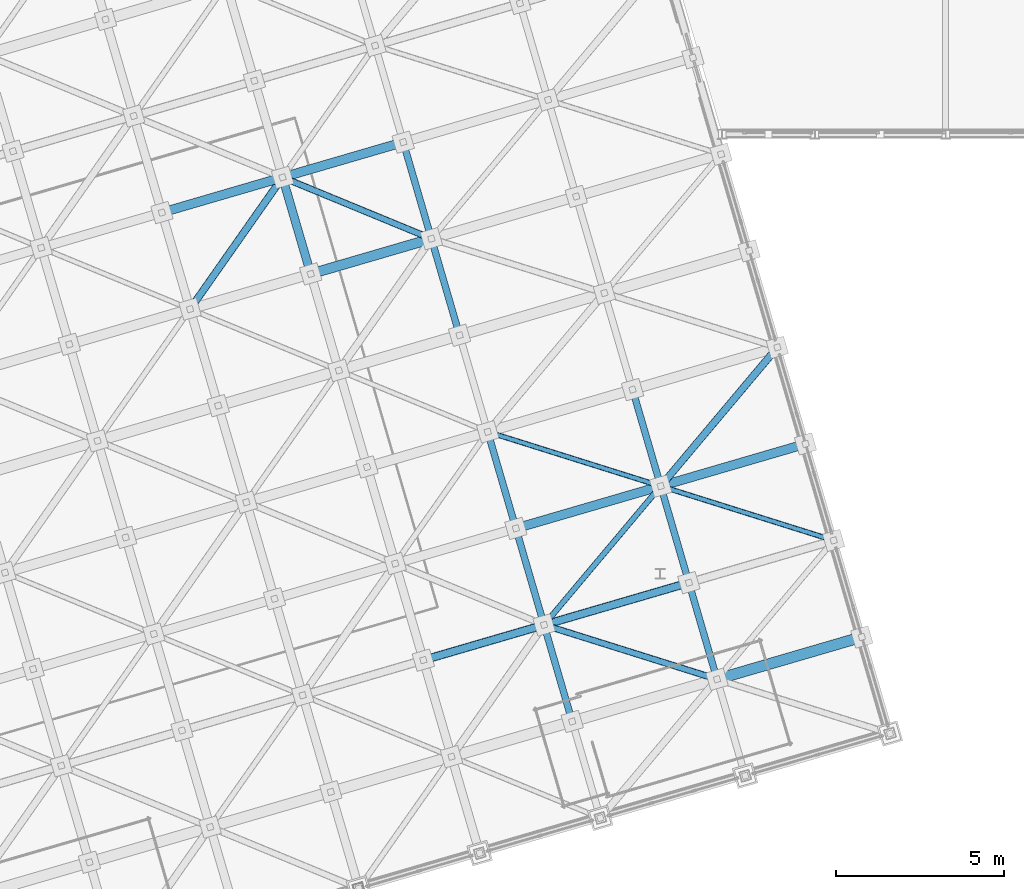
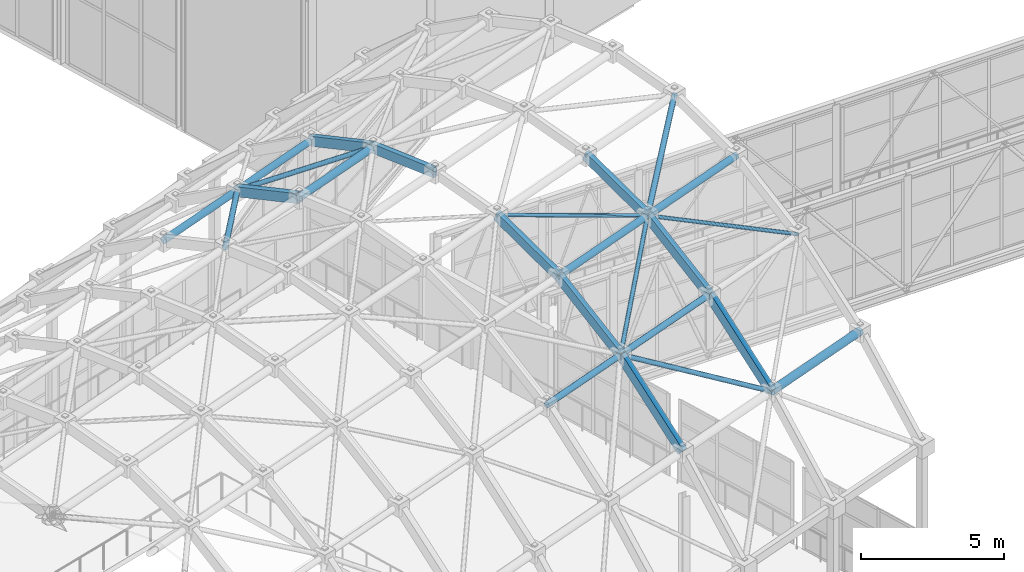
# One storey, part 73 of 248: 15 members, 9 beams.
"""IFC4 building model written with IfcOpenShell, lengths in metres."""

import ifcopenshell
import ifcopenshell.guid

model = None  # the IFC model being written
_history = None  # IfcOwnerHistory: only IFC2X3 demands one
_inside = {}  # id of a spatial element -> (the spatial element, [elements in it])
_under = {}  # id of a project, library or spatial element -> (it, [spatial elements below it])
_declared = {}  # id of a project -> (the project, [libraries it declares])
_typed = {}  # id of a type object -> (the type object, [elements of that type])
_made_of = {}  # id of a material, layer set ... -> (it, [elements and type objects made of it])


def new_model(schema):
    """Start an empty IFC model of exactly this schema.

    Asked for "IFC4X3", IfcOpenShell would pick the latest addendum, in which some entities
    have other attributes; the version numbers below select the first issue.
    IFC2X3 requires an IfcOwnerHistory on every rooted entity: one is made here for all.
    """
    global model, _history
    if schema == "IFC4X3":
        model = ifcopenshell.file(schema_version=(4, 3, 0, 0))
    else:
        model = ifcopenshell.file(schema=schema)
    _inside.clear()
    _under.clear()
    _declared.clear()
    _typed.clear()
    _made_of.clear()
    _history = None
    if model.schema == "IFC2X3":
        org = make("IfcOrganization", Name="unknown")
        user = make(
            "IfcPersonAndOrganization",
            ThePerson=make("IfcPerson", FamilyName="unknown"),
            TheOrganization=org,
        )
        app = make(
            "IfcApplication",
            ApplicationDeveloper=org,
            Version="unknown",
            ApplicationFullName="unknown",
            ApplicationIdentifier="unknown",
        )
        _history = make(
            "IfcOwnerHistory",
            OwningUser=user,
            OwningApplication=app,
            ChangeAction="ADDED",
            CreationDate=0,
        )
    return model


def make(cls, **values):
    """One entity of the class cls with the attributes given. An attribute that is None is left unset."""
    return model.create_entity(
        cls, **{name: value for name, value in values.items() if value is not None}
    )


def rooted(cls, **values):
    """An entity with a GlobalId (a new one), such as an element, a storey or a relation."""
    return make(cls, GlobalId=ifcopenshell.guid.new(), OwnerHistory=_history, **values)


def si_unit(unit_type, name, prefix=None):
    """IfcSIUnit, for example si_unit("LENGTHUNIT", "METRE", prefix="MILLI")."""
    return make("IfcSIUnit", UnitType=unit_type, Prefix=prefix, Name=name)


def assignment(units):
    """IfcUnitAssignment: the units of a project."""
    return None if units is None else make("IfcUnitAssignment", Units=units)


def point(xyz):
    """IfcCartesianPoint."""
    return None if xyz is None else make("IfcCartesianPoint", Coordinates=xyz)


def direction(xyz):
    """IfcDirection."""
    return None if xyz is None else make("IfcDirection", DirectionRatios=xyz)


def frame(location, z_axis=None, x_axis=None):
    """IfcAxis2Placement3D, a coordinate frame: its origin and axes. An axis left out is left unset."""
    return make(
        "IfcAxis2Placement3D",
        Location=point(location),
        Axis=direction(z_axis),
        RefDirection=direction(x_axis),
    )


def frame_2d(location, x_axis=None):
    """IfcAxis2Placement2D, a coordinate frame in the plane: its origin and x axis."""
    return make(
        "IfcAxis2Placement2D", Location=point(location), RefDirection=direction(x_axis)
    )


def origin():
    """The frame at (0, 0, 0) with its axes left unset."""
    return frame((0.0, 0.0, 0.0))


def origin_2d():
    """The frame at (0, 0) in the plane with its x axis left unset."""
    return frame_2d((0.0, 0.0))


def place(relative_to, where):
    """IfcLocalPlacement: puts the frame where relative to a parent placement (None: the world)."""
    return make(
        "IfcLocalPlacement", PlacementRelTo=relative_to, RelativePlacement=where
    )


def context(
    kind, dimensions, precision=None, world=None, true_north=None, identifier=None
):
    """IfcGeometricRepresentationContext, for example the 3D "Model" context."""
    return make(
        "IfcGeometricRepresentationContext",
        ContextIdentifier=identifier,
        ContextType=kind,
        CoordinateSpaceDimension=dimensions,
        Precision=precision,
        WorldCoordinateSystem=world,
        TrueNorth=true_north,
    )


def subcontext(parent, identifier, kind, view, scale=None):
    """IfcGeometricRepresentationSubContext, for example "Body" below "Model"."""
    return make(
        "IfcGeometricRepresentationSubContext",
        ContextIdentifier=identifier,
        ContextType=kind,
        ParentContext=parent,
        TargetScale=scale,
        TargetView=view,
    )


def project(units=None, contexts=None):
    """IfcProject with its units and contexts."""
    return rooted(
        "IfcProject",
        Name="project",
        RepresentationContexts=contexts,
        UnitsInContext=assignment(units),
    )


def spatial(cls, under=None, at=None, **own):
    """A site, building, storey or space (cls), placed at a placement, below another one or the project."""
    s = rooted(cls, ObjectPlacement=at, **own)
    if under is not None:
        _under.setdefault(under.id(), (under, []))[1].append(s)
    return s


def profile(cls, at=None, kind="AREA", **sizes):
    """A parametric profile (cls). Its sizes go by their IFC names, for example OverallWidth=200.0."""
    return make(cls, ProfileType=kind, Position=at, **sizes)


def hollow_rectangle(**sizes):
    """IfcRectangleHollowProfileDef."""
    return profile("IfcRectangleHollowProfileDef", **sizes)


def hollow_circle(**sizes):
    """IfcCircleHollowProfileDef."""
    return profile("IfcCircleHollowProfileDef", **sizes)


def extrude(swept, where, along, depth):
    """IfcExtrudedAreaSolid: the profile swept, set in the frame where, extruded along a direction by depth."""
    return make(
        "IfcExtrudedAreaSolid",
        SweptArea=swept,
        Position=where,
        ExtrudedDirection=direction(along),
        Depth=depth,
    )


def shape(context_of_items, identifier, shape_type, items):
    """IfcShapeRepresentation: the items that make up one representation, for example the "Body"."""
    return make(
        "IfcShapeRepresentation",
        ContextOfItems=context_of_items,
        RepresentationIdentifier=identifier,
        RepresentationType=shape_type,
        Items=items,
    )


def material(Name=None, Category=None):
    """IfcMaterial."""
    return make("IfcMaterial", Name=Name, Category=Category)


def material_profile(
    of_material, cross_section, Name=None, Category=None, Priority=None
):
    """IfcMaterialProfile: a cross section and its material."""
    return make(
        "IfcMaterialProfile",
        Name=Name,
        Material=of_material,
        Profile=cross_section,
        Priority=Priority,
        Category=Category,
    )


def profile_set(profiles, Name=None, composite=None):
    """IfcMaterialProfileSet."""
    return make(
        "IfcMaterialProfileSet",
        Name=Name,
        MaterialProfiles=profiles,
        CompositeProfile=composite,
    )


def made_of(thing, what):
    """Note that an element or type object is made of a material, layer set ...; save() writes the relation."""
    if what is not None:
        _made_of.setdefault(what.id(), (what, []))[1].append(thing)
    return thing


def type_object(cls, material=None, **own):
    """A type object (cls), such as IfcWallType, which elements share."""
    return made_of(rooted(cls, **own), material)


def element(
    cls,
    number,
    at=None,
    inside=None,
    cuts=None,
    type_object=None,
    material=None,
    context=None,
    identifier="Body",
    shape_type=None,
    held_by="IfcProductDefinitionShape",
    body=None,
    shapes=None,
    **own,
):
    """One element of the class cls, such as IfcWall. Its Tag is "e" and its number.

    at: its placement. inside: the storey or other place that contains it. cuts: it is an
    opening in that element (IfcRelVoidsElement). A single representation is given by context,
    identifier, shape_type and body (its items); several are given by shapes. held_by: the class
    of the entity that holds the representations. save() writes the other relations.
    """
    e = rooted(cls, Tag="e%d" % number, ObjectPlacement=at, **own)
    if body is not None:
        shapes = [shape(context, identifier, shape_type, body)]
    if shapes is not None:
        e.Representation = make(held_by, Representations=shapes)
    if inside is not None:
        _inside.setdefault(inside.id(), (inside, []))[1].append(e)
    if cuts is not None:
        rooted(
            "IfcRelVoidsElement", RelatingBuildingElement=cuts, RelatedOpeningElement=e
        )
    if type_object is not None:
        _typed.setdefault(type_object.id(), (type_object, []))[1].append(e)
    return made_of(e, material)


def aggregate(whole, parts):
    """IfcRelAggregates: a whole, such as a stair, and the parts it consists of."""
    return rooted("IfcRelAggregates", RelatingObject=whole, RelatedObjects=parts)


def save(model, path):
    """Write the relations noted so far, then the file.

    IfcRelAggregates (storeys below a building ...), IfcRelContainedInSpatialStructure (elements
    in a storey), IfcRelDefinesByType, IfcRelAssociatesMaterial and IfcRelDeclares: one each for
    every whole, place, type object, material and project.
    """
    for whole, parts in _under.values():
        aggregate(whole, parts)
    for where, things in _inside.values():
        rooted(
            "IfcRelContainedInSpatialStructure",
            RelatedElements=things,
            RelatingStructure=where,
        )
    for kind, things in _typed.values():
        rooted("IfcRelDefinesByType", RelatedObjects=things, RelatingType=kind)
    for what, things in _made_of.values():
        rooted("IfcRelAssociatesMaterial", RelatedObjects=things, RelatingMaterial=what)
    for by, libraries in _declared.values():
        rooted("IfcRelDeclares", RelatingContext=by, RelatedDefinitions=libraries)
    model.write(path)


model = new_model("IFC4")

# Units and contexts
model_context = context("Model", 3, precision=1e-05, world=origin(), true_north=direction((0.0, 1.0)))
body_context = subcontext(model_context, "Body", "Model", "MODEL_VIEW")
ifc_project = project(units=[si_unit("LENGTHUNIT", "METRE"), si_unit("AREAUNIT", "SQUARE_METRE"), si_unit("VOLUMEUNIT", "CUBIC_METRE"), si_unit("PLANEANGLEUNIT", "RADIAN"), si_unit("MASSUNIT", "GRAM", prefix="KILO")], contexts=[model_context])

# Site, building, storey
site_placement = place(None, origin())
site = spatial("IfcSite", under=ifc_project, at=site_placement, CompositionType="ELEMENT")
building_placement = place(site_placement, origin())
building = spatial("IfcBuilding", under=site, at=building_placement, Name="Canggui Botanical Conservatory", CompositionType="ELEMENT")
storey_placement = place(building_placement, frame((0.0, 0.0, 5.39990234375)))
storey = spatial("IfcBuildingStorey", under=building, at=storey_placement, Name="L02", CompositionType="ELEMENT", Elevation=5.39990234375)

# Beams
ifc_material = material(Name="Steel Q355C", Category="steel")
ifc_material_profile_1 = material_profile(ifc_material, hollow_rectangle(XDim=0.25, YDim=0.39990234375, WallThickness=0.013916015625, at=origin_2d()), Name="RHS 250x400x14")
ifc_profile_set_1 = profile_set([ifc_material_profile_1], Name="Steel Q355C")
beam_type_1 = type_object("IfcBeamType", Name="BM-GJ03", PredefinedType="BEAM", material=ifc_profile_set_1)
beam_1_placement = place(storey_placement, frame((54.56005859375, 70.830078125, 15.566162109375), z_axis=(-0.261421746348, 0.896172891578, -0.358514740196), x_axis=(-0.959989061447, -0.280037500885, 0.0)))
element("IfcBeam", 1, at=beam_1_placement, inside=storey, type_object=beam_type_1, Name="Conservatory Stepped-Arch Rib GJ-12 Segment 7", PredefinedType="BEAM", context=body_context, shape_type="SweptSolid", body=[
    extrude(hollow_rectangle(XDim=0.25, YDim=0.39990234375, WallThickness=0.013916015625, at=origin_2d()), origin(), (0.0, 0.0, 1.0), 3.213623046875),
])
ifc_material_profile_2 = material_profile(ifc_material, hollow_rectangle(XDim=0.199951171875, YDim=0.39990234375, WallThickness=0.011962890625, at=origin_2d()), Name="RHS 200x400x12")
ifc_profile_set_2 = profile_set([ifc_material_profile_2], Name="Steel Q355C")
beam_type_2 = type_object("IfcBeamType", Name="BM-GJ04", PredefinedType="BEAM", material=ifc_profile_set_2)
beam_2_placement = place(storey_placement, frame((62.360107421875, 57.47998046875, 10.05615234375), z_axis=(-0.208553195479, 0.714996235706, 0.66729749556), x_axis=(-0.959995442804, -0.2800156242, 0.0)))
element("IfcBeam", 2, at=beam_2_placement, inside=storey, type_object=beam_type_2, Name="Conservatory Stepped-Arch Rib GJ-13 Segment 2", PredefinedType="BEAM", context=body_context, shape_type="SweptSolid", body=[
    extrude(hollow_rectangle(XDim=0.199951171875, YDim=0.39990234375, WallThickness=0.011962890625, at=origin_2d()), origin(), (0.0, 0.0, 1.0), 4.028076171875),
])
beam_3_placement = place(storey_placement, frame((61.52001953125, 60.360107421875, 12.744140625), z_axis=(-0.235868359053, 0.808574008543, 0.539049339028), x_axis=(-0.959989061447, -0.280037500885, 0.0)))
element("IfcBeam", 3, at=beam_3_placement, inside=storey, type_object=beam_type_2, Name="Conservatory Stepped-Arch Rib GJ-13 Segment 3", PredefinedType="BEAM", context=body_context, shape_type="SweptSolid", body=[
    extrude(hollow_rectangle(XDim=0.199951171875, YDim=0.39990234375, WallThickness=0.011962890625, at=origin_2d()), origin(), (0.0, 0.0, 1.0), 3.561767578125),
])
beam_4_placement = place(storey_placement, frame((60.679931640625, 63.239990234375, 14.6640625), z_axis=(-0.261333170082, 0.896205641703, 0.35849745047), x_axis=(-0.960017315421, -0.279940626011, 0.0)))
element("IfcBeam", 4, at=beam_4_placement, inside=storey, type_object=beam_type_2, Name="Conservatory Stepped-Arch Rib GJ-13 Segment 4", PredefinedType="BEAM", context=body_context, shape_type="SweptSolid", body=[
    extrude(hollow_rectangle(XDim=0.199951171875, YDim=0.39990234375, WallThickness=0.011962890625, at=origin_2d()), origin(), (0.0, 0.0, 1.0), 3.213623046875),
])
beam_5_placement = place(storey_placement, frame((59.0, 69.0, 16.2001953125), z_axis=(-0.277770725345, 0.952218388891, -0.12697859662), x_axis=(-0.959989061447, -0.280037500885, 0.0)))
element("IfcBeam", 5, at=beam_5_placement, inside=storey, type_object=beam_type_2, Name="Conservatory Stepped-Arch Rib GJ-13 Segment 6", PredefinedType="BEAM", context=body_context, shape_type="SweptSolid", body=[
    extrude(hollow_rectangle(XDim=0.199951171875, YDim=0.39990234375, WallThickness=0.011962890625, at=origin_2d()), origin(), (0.0, 0.0, 1.0), 3.0244140625),
])
beam_6_placement = place(storey_placement, frame((58.159912109375, 71.8798828125, 15.816162109375), z_axis=(-0.261333170082, 0.896205641703, -0.35849745047), x_axis=(-0.960017315421, -0.279940626011, 0.0)))
element("IfcBeam", 6, at=beam_6_placement, inside=storey, type_object=beam_type_2, Name="Conservatory Stepped-Arch Rib GJ-13 Segment 7", PredefinedType="BEAM", context=body_context, shape_type="SweptSolid", body=[
    extrude(hollow_rectangle(XDim=0.199951171875, YDim=0.39990234375, WallThickness=0.011962890625, at=origin_2d()), origin(), (0.0, 0.0, 1.0), 3.213623046875),
])
beam_7_placement = place(storey_placement, frame((66.679931640625, 58.739990234375, 10.356201171875), z_axis=(-0.208495222194, 0.715005272157, 0.667305929173), x_axis=(-0.960017315421, -0.279940626011, 0.0)))
element("IfcBeam", 7, at=beam_7_placement, inside=storey, type_object=beam_type_2, Name="Conservatory Stepped-Arch Rib GJ-14 Segment 2", PredefinedType="BEAM", context=body_context, shape_type="SweptSolid", body=[
    extrude(hollow_rectangle(XDim=0.199951171875, YDim=0.39990234375, WallThickness=0.011962890625, at=origin_2d()), origin(), (0.0, 0.0, 1.0), 4.028076171875),
])
beam_8_placement = place(storey_placement, frame((65.840087890625, 61.6201171875, 13.044189453125), z_axis=(-0.235868359053, 0.808574008543, 0.539049339028), x_axis=(-0.959989061447, -0.280037500885, 0.0)))
element("IfcBeam", 8, at=beam_8_placement, inside=storey, type_object=beam_type_2, Name="Conservatory Stepped-Arch Rib GJ-14 Segment 3", PredefinedType="BEAM", context=body_context, shape_type="SweptSolid", body=[
    extrude(hollow_rectangle(XDim=0.199951171875, YDim=0.39990234375, WallThickness=0.011962890625, at=origin_2d()), origin(), (0.0, 0.0, 1.0), 3.561767578125),
])
beam_9_placement = place(storey_placement, frame((65.0, 64.5, 14.964111328125), z_axis=(-0.261421746348, 0.896172891578, 0.358514740196), x_axis=(-0.959989061447, -0.280037500885, 0.0)))
element("IfcBeam", 9, at=beam_9_placement, inside=storey, type_object=beam_type_2, Name="Conservatory Stepped-Arch Rib GJ-14 Segment 4", PredefinedType="BEAM", context=body_context, shape_type="SweptSolid", body=[
    extrude(hollow_rectangle(XDim=0.199951171875, YDim=0.39990234375, WallThickness=0.011962890625, at=origin_2d()), origin(), (0.0, 0.0, 1.0), 3.213623046875),
])

# Members
ifc_material_profile_3 = material_profile(ifc_material, hollow_circle(Radius=0.16259765625, WallThickness=0.011962890625, at=origin_2d()), Name="CHS 325x12")
ifc_profile_set_3 = profile_set([ifc_material_profile_3], Name="Steel Q355C")
member_type_1 = type_object("IfcMemberType", Name="MEM-GSC01", PredefinedType="CHORD", material=ifc_profile_set_3)
member_1_placement = place(storey_placement, frame((66.679931640625, 58.739990234375, 10.356201171875), z_axis=(0.957877180601, 0.279378588815, 0.066474889956), x_axis=(-0.279997916698, 0.960000607627, 0.0)))
element("IfcMember", 10, at=member_1_placement, inside=storey, type_object=member_type_1, Name="Conservatory Gridshell Longitudinal Chord 14-1", PredefinedType="CHORD", context=body_context, shape_type="SweptSolid", body=[
    extrude(hollow_circle(Radius=0.16259765625, WallThickness=0.011962890625, at=origin_2d()), origin(), (0.0, 0.0, 1.0), 4.510009765625),
])
ifc_material_profile_4 = material_profile(ifc_material, hollow_circle(Radius=0.1494140625, WallThickness=0.011962890625, at=origin_2d()), Name="CHS 299x12")
ifc_profile_set_4 = profile_set([ifc_material_profile_4], Name="Steel Q355C")
member_type_2 = type_object("IfcMemberType", Name="MEM-GSC02", PredefinedType="CHORD", material=ifc_profile_set_4)
member_2_placement = place(storey_placement, frame((54.56005859375, 70.830078125, 15.566162109375), z_axis=(0.95788444389, 0.279342360714, 0.066522459854), x_axis=(-0.279962497833, 0.960010937337, 0.0)))
element("IfcMember", 11, at=member_2_placement, inside=storey, type_object=member_type_2, Name="Conservatory Gridshell Longitudinal Chord 12-6", PredefinedType="CHORD", context=body_context, shape_type="SweptSolid", body=[
    extrude(hollow_circle(Radius=0.1494140625, WallThickness=0.011962890625, at=origin_2d()), origin(), (0.0, 0.0, 1.0), 3.758056640625),
])
ifc_material_profile_5 = material_profile(ifc_material, hollow_circle(Radius=0.136474609375, WallThickness=0.010009765625, at=origin_2d()), Name="CHS 273x10")
ifc_profile_set_5 = profile_set([ifc_material_profile_5], Name="Steel Q355C")
member_type_3 = type_object("IfcMemberType", Name="MEM-GSC03", PredefinedType="CHORD", material=ifc_profile_set_5)
member_3_placement = place(storey_placement, frame((50.1201171875, 72.659912109375, 14.1640625), z_axis=(0.957867059601, 0.279402253194, 0.066521252562), x_axis=(-0.280022500685, 0.959993437014, 0.0)))
element("IfcMember", 12, at=member_3_placement, inside=storey, type_object=member_type_3, Name="Conservatory Gridshell Longitudinal Chord 11-7", PredefinedType="CHORD", context=body_context, shape_type="SweptSolid", body=[
    extrude(hollow_circle(Radius=0.136474609375, WallThickness=0.010009765625, at=origin_2d()), origin(), (0.0, 0.0, 1.0), 3.75830078125),
])
member_4_placement = place(storey_placement, frame((53.719970703125, 73.7099609375, 14.4140625), z_axis=(0.957872417874, 0.27938486839, 0.066517113516), x_axis=(-0.280004999853, 0.959998541695, 0.0)))
element("IfcMember", 13, at=member_4_placement, inside=storey, type_object=member_type_3, Name="Conservatory Gridshell Longitudinal Chord 12-7", PredefinedType="CHORD", context=body_context, shape_type="SweptSolid", body=[
    extrude(hollow_circle(Radius=0.136474609375, WallThickness=0.010009765625, at=origin_2d()), origin(), (0.0, 0.0, 1.0), 3.758544921875),
])
for number, where, z_axis, x_axis, name in (
    (14, (60.679931640625, 63.239990234375, 14.6640625), (0.957873732332, 0.279377583078, 0.066528783105), (-0.279997916698, 0.960000607627, 0.0), "Conservatory Gridshell Longitudinal Chord 13-3"),
    (15, (65.0, 64.5, 14.964111328125), (0.957873732332, 0.279377583078, 0.066528783105), (-0.279997916698, 0.960000607627, 0.0), "Conservatory Gridshell Longitudinal Chord 14-3"),
):
    element("IfcMember", number, at=place(storey_placement, frame(where, z_axis=z_axis, x_axis=x_axis)), inside=storey, type_object=member_type_3, Name=name, PredefinedType="CHORD", context=body_context, shape_type="SweptSolid", body=[
        extrude(hollow_circle(Radius=0.136474609375, WallThickness=0.010009765625, at=origin_2d()), origin(), (0.0, 0.0, 1.0), 4.510009765625),
    ])
ifc_material_profile_6 = material_profile(ifc_material, hollow_circle(Radius=0.12255859375, WallThickness=0.010009765625, at=origin_2d()), Name="CHS 245x10")
ifc_profile_set_6 = profile_set([ifc_material_profile_6], Name="Steel Q355C")
member_type_4 = type_object("IfcMemberType", Name="MEM-GSC04", PredefinedType="CHORD", material=ifc_profile_set_6)
member_5_placement = place(storey_placement, frame((57.919921875, 59.31005859375, 12.494140625), z_axis=(0.957872417874, 0.27938486839, 0.066517113516), x_axis=(-0.280004999853, 0.959998541695, 0.0)))
element("IfcMember", 16, at=member_5_placement, inside=storey, type_object=member_type_4, Name="Conservatory Gridshell Longitudinal Chord 12-2", PredefinedType="CHORD", context=body_context, shape_type="SweptSolid", body=[
    extrude(hollow_circle(Radius=0.12255859375, WallThickness=0.010009765625, at=origin_2d()), origin(), (0.0, 0.0, 1.0), 3.758544921875),
])
member_6_placement = place(storey_placement, frame((61.52001953125, 60.360107421875, 12.744140625), z_axis=(0.957873732332, 0.279377583078, 0.066528783105), x_axis=(-0.279997916698, 0.960000607627, 0.0)))
element("IfcMember", 17, at=member_6_placement, inside=storey, type_object=member_type_4, Name="Conservatory Gridshell Longitudinal Chord 13-2", PredefinedType="CHORD", context=body_context, shape_type="SweptSolid", body=[
    extrude(hollow_circle(Radius=0.12255859375, WallThickness=0.010009765625, at=origin_2d()), origin(), (0.0, 0.0, 1.0), 4.510009765625),
])
ifc_material_profile_7 = material_profile(ifc_material, hollow_circle(Radius=0.109619140625, WallThickness=0.008056640625, at=origin_2d()), Name="CHS 219x8")
ifc_profile_set_7 = profile_set([ifc_material_profile_7], Name="Steel Q355C")
member_type_5 = type_object("IfcMemberType", Name="MEM-GSD01", PredefinedType="RAFTER", material=ifc_profile_set_7)
member_7_placement = place(storey_placement, frame((50.9599609375, 69.780029296875, 15.316162109375), z_axis=(0.564848070729, 0.804277699648, -0.184618630813), x_axis=(-0.818344854073, 0.574727500484, 0.0)))
element("IfcMember", 18, at=member_7_placement, inside=storey, type_object=member_type_5, Name="Conservatory Gridshell Diagrid Rafter 11-7", PredefinedType="RAFTER", context=body_context, shape_type="SweptSolid", body=[
    extrude(hollow_circle(Radius=0.109619140625, WallThickness=0.008056640625, at=origin_2d()), origin(), (0.0, 0.0, 1.0), 4.88623046875),
])
member_8_placement = place(storey_placement, frame((65.0, 64.5, 14.964111328125), z_axis=(0.621454802593, 0.739301886317, 0.259281023644), x_axis=(-0.765479825805, 0.643459894853, 0.0)))
element("IfcMember", 19, at=member_8_placement, inside=storey, type_object=member_type_5, Name="Conservatory Gridshell Diagrid Rafter 14-4", PredefinedType="RAFTER", context=body_context, shape_type="SweptSolid", body=[
    extrude(hollow_circle(Radius=0.109619140625, WallThickness=0.008056640625, at=origin_2d()), origin(), (0.0, 0.0, 1.0), 5.599853515625),
])
ifc_material_profile_8 = material_profile(ifc_material, hollow_circle(Radius=0.096923828125, WallThickness=0.008056640625, at=origin_2d()), Name="CHS 194x8")
ifc_profile_set_8 = profile_set([ifc_material_profile_8], Name="Steel Q355C")
member_type_6 = type_object("IfcMemberType", Name="MEM-GSD02", PredefinedType="RAFTER", material=ifc_profile_set_8)
member_9_placement = place(storey_placement, frame((53.719970703125, 73.7099609375, 14.4140625), z_axis=(0.88748878428, -0.365809739743, 0.280262184544), x_axis=(0.381082183428, 0.924541166998, 0.0)))
element("IfcMember", 20, at=member_9_placement, inside=storey, type_object=member_type_6, Name="Conservatory Gridshell Diagrid Rafter 12-7", PredefinedType="RAFTER", context=body_context, shape_type="SweptSolid", body=[
    extrude(hollow_circle(Radius=0.096923828125, WallThickness=0.008056640625, at=origin_2d()), origin(), (0.0, 0.0, 1.0), 5.0029296875),
])
member_10_placement = place(storey_placement, frame((61.52001953125, 60.360107421875, 12.744140625), z_axis=(0.872786421958, -0.274038831139, -0.403914075854), x_axis=(0.299562474223, 0.954076686665, 0.0)))
element("IfcMember", 21, at=member_10_placement, inside=storey, type_object=member_type_6, Name="Conservatory Gridshell Diagrid Rafter 13-2", PredefinedType="RAFTER", context=body_context, shape_type="SweptSolid", body=[
    extrude(hollow_circle(Radius=0.096923828125, WallThickness=0.008056640625, at=origin_2d()), origin(), (0.0, 0.0, 1.0), 5.912109375),
])
ifc_material_profile_9 = material_profile(ifc_material, hollow_circle(Radius=0.083984375, WallThickness=0.008056640625, at=origin_2d()), Name="CHS 168x8")
ifc_profile_set_9 = profile_set([ifc_material_profile_9], Name="Steel Q355C")
member_type_7 = type_object("IfcMemberType", Name="MEM-GSD03", PredefinedType="RAFTER", material=ifc_profile_set_9)
member_11_placement = place(storey_placement, frame((61.52001953125, 60.360107421875, 12.744140625), z_axis=(0.59526217046, 0.708142319664, 0.379733332117), x_axis=(-0.765479825805, 0.643459894853, 0.0)))
element("IfcMember", 22, at=member_11_placement, inside=storey, type_object=member_type_7, Name="Conservatory Gridshell Diagrid Rafter 13-3", PredefinedType="RAFTER", context=body_context, shape_type="SweptSolid", body=[
    extrude(hollow_circle(Radius=0.083984375, WallThickness=0.008056640625, at=origin_2d()), origin(), (0.0, 0.0, 1.0), 5.84619140625),
])
ifc_material_profile_10 = material_profile(ifc_material, hollow_circle(Radius=0.075927734375, WallThickness=0.006103515625, at=origin_2d()), Name="CHS 152x6")
ifc_profile_set_10 = profile_set([ifc_material_profile_10], Name="Steel Q355C")
member_type_8 = type_object("IfcMemberType", Name="MEM-GSD04", PredefinedType="RAFTER", material=ifc_profile_set_10)
member_12_placement = place(storey_placement, frame((59.840087890625, 66.1201171875, 15.816162109375), z_axis=(0.942452243711, -0.295912613639, -0.155626133454), x_axis=(0.299562474223, 0.954076686665, 0.0)))
element("IfcMember", 23, at=member_12_placement, inside=storey, type_object=member_type_8, Name="Conservatory Gridshell Diagrid Rafter 13-4", PredefinedType="RAFTER", context=body_context, shape_type="SweptSolid", body=[
    extrude(hollow_circle(Radius=0.075927734375, WallThickness=0.006103515625, at=origin_2d()), origin(), (0.0, 0.0, 1.0), 5.47509765625),
])
member_13_placement = place(storey_placement, frame((65.0, 64.5, 14.964111328125), z_axis=(0.913949712735, -0.286963344864, -0.286963344864), x_axis=(0.299562474223, 0.954076686665, 0.0)))
element("IfcMember", 24, at=member_13_placement, inside=storey, type_object=member_type_8, Name="Conservatory Gridshell Diagrid Rafter 14-3", PredefinedType="RAFTER", context=body_context, shape_type="SweptSolid", body=[
    extrude(hollow_circle(Radius=0.075927734375, WallThickness=0.006103515625, at=origin_2d()), origin(), (0.0, 0.0, 1.0), 5.645751953125),
])

save(model, "model.ifc")
